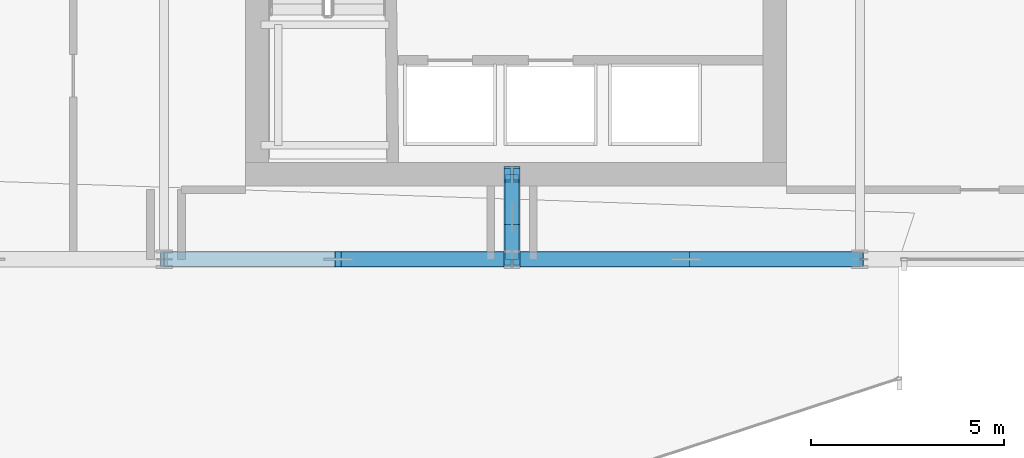
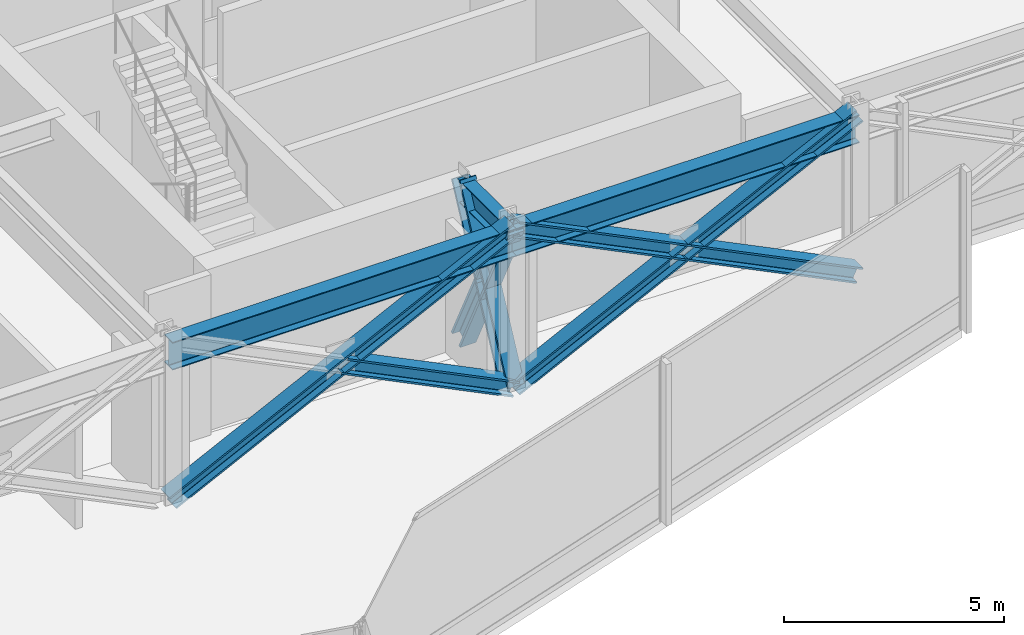
# One storey, part 12 of 42: 8 members, 3 beams.
"""IFC4 building model written with IfcOpenShell, lengths in metres."""

from ifc_helpers import new_model, si_unit, direction, frame, origin, origin_2d, place, context, subcontext, project, spatial, i_section, extrude, material, material_profile, profile_set, type_object, element, save


model = new_model("IFC4")

# Units and contexts
model_context = context("Model", 3, precision=1e-05, world=origin(), true_north=direction((0.0, 1.0)))
body_context = subcontext(model_context, "Body", "Model", "MODEL_VIEW")
ifc_project = project(units=[si_unit("LENGTHUNIT", "METRE"), si_unit("AREAUNIT", "SQUARE_METRE"), si_unit("VOLUMEUNIT", "CUBIC_METRE"), si_unit("PLANEANGLEUNIT", "RADIAN"), si_unit("MASSUNIT", "GRAM", prefix="KILO")], contexts=[model_context])

# Site, building, storey
site_placement = place(None, origin())
site = spatial("IfcSite", under=ifc_project, at=site_placement, CompositionType="ELEMENT")
building_placement = place(site_placement, origin())
building = spatial("IfcBuilding", under=site, at=building_placement, Name="Solvaryn Broadcast Tower", CompositionType="ELEMENT")
storey_placement = place(building_placement, frame((0.0, 0.0, 100.199951171875)))
storey = spatial("IfcBuildingStorey", under=building, at=storey_placement, Name="L24", CompositionType="ELEMENT", Elevation=100.199951171875)

# Beams
ifc_material_1 = material(Name="Steel ASTM A992 Grade 50", Category="steel")
ifc_material_profile_1 = material_profile(ifc_material_1, i_section(OverallWidth=0.323974609375, OverallDepth=0.611083984375, WebThickness=0.0126953125, FlangeThickness=0.01904296875, FilletRadius=0.014892578125, at=origin_2d()))
ifc_profile_set_1 = profile_set([ifc_material_profile_1], Name="Steel ASTM A992 Grade 50")
beam_type_1 = type_object("IfcBeamType", Name="BM-B1-W24X104", PredefinedType="BEAM", material=ifc_profile_set_1)
beam_placement = place(storey_placement, frame((36.0, 9.0, 4.16455078125), z_axis=(0.0, 1.0, 0.0), x_axis=(-1.0, 0.0, 0.0)))
element("IfcBeam", 1, at=beam_placement, inside=storey, type_object=beam_type_1, Name="L24 Core Tie Beam CTE1", PredefinedType="BEAM", context=body_context, shape_type="SweptSolid", body=[
    extrude(i_section(OverallWidth=0.323974609375, OverallDepth=0.611083984375, WebThickness=0.0126953125, FlangeThickness=0.01904296875, FilletRadius=0.014892578125, at=origin_2d()), origin(), (0.0, 0.0, 1.0), 2.199951171875),
])
ifc_material_2 = material(Name="Steel ASTM A992 Grade 50", Category="steel")
ifc_material_profile_2 = material_profile(ifc_material_2, i_section(OverallWidth=0.381103515625, OverallDepth=0.77294921875, WebThickness=0.0166015625, FlangeThickness=0.027099609375, FilletRadius=0.01806640625, at=origin_2d()))
ifc_profile_set_2 = profile_set([ifc_material_profile_2], Name="Steel ASTM A992 Grade 50")
beam_type_2 = type_object("IfcBeamType", Name="BM-SP1-W30X173", PredefinedType="USERDEFINED", material=ifc_profile_set_2)
for number, where, z_axis, x_axis, name in (
    (2, (27.0, 9.0, 4.08349609375), (1.0, 0.0, 0.0), (0.0, 1.0, 0.0), "L24 Spandrel Beam X (27-36 @ Y=9)"),
    (3, (36.0, 9.0, 4.08349609375), (1.0, 0.0, 0.0), (0.0, 1.0, 0.0), "L24 Spandrel Beam X (36-45 @ Y=9)"),
):
    element("IfcBeam", number, at=place(storey_placement, frame(where, z_axis=z_axis, x_axis=x_axis)), inside=storey, type_object=beam_type_2, Name=name, ObjectType="SPANDREL", PredefinedType="USERDEFINED", context=body_context, shape_type="SweptSolid", body=[
        extrude(i_section(OverallWidth=0.381103515625, OverallDepth=0.77294921875, WebThickness=0.0166015625, FlangeThickness=0.027099609375, FilletRadius=0.01806640625, at=origin_2d()), origin(), (0.0, 0.0, 1.0), 9.0),
    ])

# Members
ifc_material_3 = material(Name="Steel ASTM A913 Grade 65", Category="steel")
ifc_material_profile_3 = material_profile(ifc_material_3, i_section(OverallWidth=0.406005859375, OverallDepth=0.416015625, WebThickness=0.02978515625, FlangeThickness=0.048095703125, FilletRadius=0.014892578125, at=origin_2d()))
ifc_profile_set_3 = profile_set([ifc_material_profile_3], Name="Steel ASTM A913 Grade 65")
member_type_1 = type_object("IfcMemberType", Name="MB-BELT-1", PredefinedType="BRACE", material=ifc_profile_set_3)
member_1_placement = place(storey_placement, frame((27.0, 9.0, 0.02001953125), z_axis=(0.897203761247, 0.0, 0.441616814449), x_axis=(0.0, 1.0, 0.0)))
element("IfcMember", 4, at=member_1_placement, inside=storey, type_object=member_type_1, Name="L24 South Belt X-Brace 4 Continuous Diagonal", PredefinedType="BRACE", context=body_context, shape_type="SweptSolid", body=[
    extrude(i_section(OverallWidth=0.406005859375, OverallDepth=0.416015625, WebThickness=0.02978515625, FlangeThickness=0.048095703125, FilletRadius=0.014892578125, at=origin_2d()), origin(), (0.0, 0.0, 1.0), 10.03125),
])
member_2_placement = place(storey_placement, frame((36.0, 9.0, 0.02001953125), z_axis=(-0.897194117845, 0.0, 0.441636405773), x_axis=(0.0, -1.0, 0.0)))
element("IfcMember", 5, at=member_2_placement, inside=storey, type_object=member_type_1, Name="L24 South Belt X-Brace 4 Split Diagonal Lower", PredefinedType="BRACE", context=body_context, shape_type="SweptSolid", body=[
    extrude(i_section(OverallWidth=0.406005859375, OverallDepth=0.416015625, WebThickness=0.02978515625, FlangeThickness=0.048095703125, FilletRadius=0.014892578125, at=origin_2d()), origin(), (0.0, 0.0, 1.0), 5.015625),
])
member_3_placement = place(storey_placement, frame((36.0, 9.0, 0.02001953125), z_axis=(0.897203761247, 0.0, 0.441616814449), x_axis=(0.0, 1.0, 0.0)))
element("IfcMember", 6, at=member_3_placement, inside=storey, type_object=member_type_1, Name="L24 South Belt X-Brace 5 Continuous Diagonal", PredefinedType="BRACE", context=body_context, shape_type="SweptSolid", body=[
    extrude(i_section(OverallWidth=0.406005859375, OverallDepth=0.416015625, WebThickness=0.02978515625, FlangeThickness=0.048095703125, FilletRadius=0.014892578125, at=origin_2d()), origin(), (0.0, 0.0, 1.0), 10.03125),
])
for number, where, z_axis, x_axis, name in (
    (7, (45.0, 9.0, 0.02001953125), (-0.897194117845, 0.0, 0.441636405773), (0.0, -1.0, 0.0), "L24 South Belt X-Brace 5 Split Diagonal Lower"),
    (8, (40.5, 9.0, 2.235107421875), (-0.897213404429, 0.0, 0.441597222492), (0.0, -1.0, 0.0), "L24 South Belt X-Brace 5 Split Diagonal Upper"),
):
    element("IfcMember", number, at=place(storey_placement, frame(where, z_axis=z_axis, x_axis=x_axis)), inside=storey, type_object=member_type_1, Name=name, PredefinedType="BRACE", context=body_context, shape_type="SweptSolid", body=[
        extrude(i_section(OverallWidth=0.406005859375, OverallDepth=0.416015625, WebThickness=0.02978515625, FlangeThickness=0.048095703125, FilletRadius=0.014892578125, at=origin_2d()), origin(), (0.0, 0.0, 1.0), 5.015625),
    ])
ifc_material_4 = material(Name="Steel ASTM A913 Grade 65", Category="steel")
ifc_material_profile_4 = material_profile(ifc_material_4, i_section(OverallWidth=0.41796875, OverallDepth=0.455078125, WebThickness=0.0419921875, FlangeThickness=0.067626953125, FilletRadius=0.014892578125, at=origin_2d()))
ifc_profile_set_4 = profile_set([ifc_material_profile_4], Name="Steel ASTM A913 Grade 65")
member_type_2 = type_object("IfcMemberType", Name="MB-OUTRIGGER-1", PredefinedType="BRACE", material=ifc_profile_set_4)
member_4_placement = place(storey_placement, frame((36.0, 11.199951171875, 0.02001953125), z_axis=(0.0, -0.444783432465, 0.895638151379), x_axis=(1.0, 0.0, 0.0)))
element("IfcMember", 9, at=member_4_placement, inside=storey, type_object=member_type_2, Name="L24 Outrigger X-Brace S Continuous Diagonal", PredefinedType="BRACE", context=body_context, shape_type="SweptSolid", body=[
    extrude(i_section(OverallWidth=0.41796875, OverallDepth=0.455078125, WebThickness=0.0419921875, FlangeThickness=0.067626953125, FilletRadius=0.014892578125, at=origin_2d()), origin(), (0.0, 0.0, 1.0), 4.946044921875),
])
member_5_placement = place(storey_placement, frame((36.0, 11.199951171875, 4.449951171875), z_axis=(0.0, -0.444763499314, -0.895648050117), x_axis=(1.0, 0.0, 0.0)))
element("IfcMember", 10, at=member_5_placement, inside=storey, type_object=member_type_2, Name="L24 Outrigger X-Brace S Split Diagonal Lower", PredefinedType="BRACE", context=body_context, shape_type="SweptSolid", body=[
    extrude(i_section(OverallWidth=0.41796875, OverallDepth=0.455078125, WebThickness=0.0419921875, FlangeThickness=0.067626953125, FilletRadius=0.014892578125, at=origin_2d()), origin(), (0.0, 0.0, 1.0), 2.472900390625),
])
member_6_placement = place(storey_placement, frame((36.0, 10.10009765625, 2.235107421875), z_axis=(0.0, -0.444803362758, -0.895628253507), x_axis=(1.0, 0.0, 0.0)))
element("IfcMember", 11, at=member_6_placement, inside=storey, type_object=member_type_2, Name="L24 Outrigger X-Brace S Split Diagonal Upper", PredefinedType="BRACE", context=body_context, shape_type="SweptSolid", body=[
    extrude(i_section(OverallWidth=0.41796875, OverallDepth=0.455078125, WebThickness=0.0419921875, FlangeThickness=0.067626953125, FilletRadius=0.014892578125, at=origin_2d()), origin(), (0.0, 0.0, 1.0), 2.47314453125),
])

save(model, "model.ifc")
